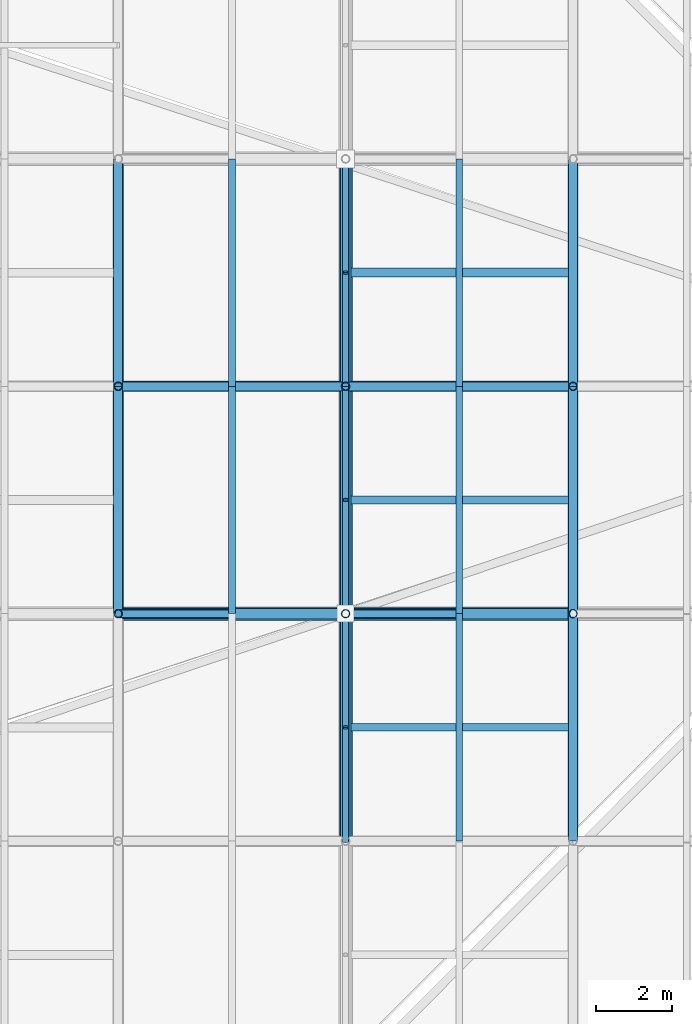
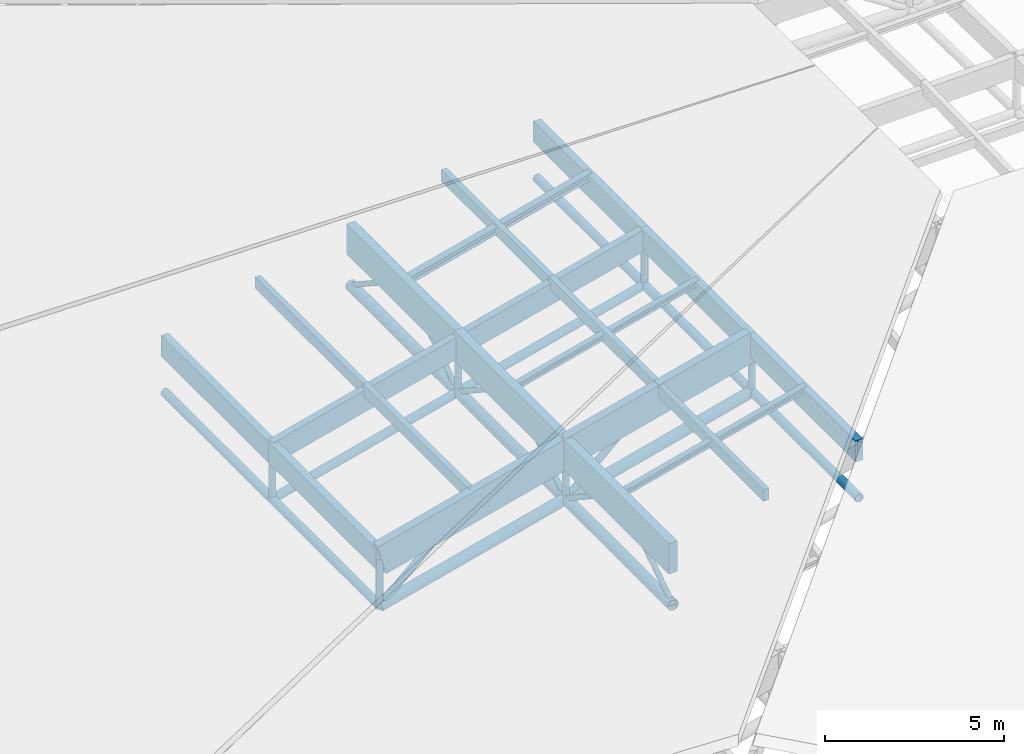
# One storey, part 16 of 80: 46 members.
"""IFC4 building model written with IfcOpenShell, lengths in metres."""

from ifc_helpers import new_model, si_unit, direction, frame, origin, origin_2d, place, context, subcontext, project, spatial, rectangle, hollow_circle, i_section, extrude, material, material_profile, profile_set, type_object, element, save


model = new_model("IFC4")

# Units and contexts
model_context = context("Model", 3, precision=1e-05, world=origin(), true_north=direction((0.0, 1.0)))
body_context = subcontext(model_context, "Body", "Model", "MODEL_VIEW")
ifc_project = project(units=[si_unit("LENGTHUNIT", "METRE"), si_unit("AREAUNIT", "SQUARE_METRE"), si_unit("VOLUMEUNIT", "CUBIC_METRE"), si_unit("PLANEANGLEUNIT", "RADIAN"), si_unit("MASSUNIT", "GRAM", prefix="KILO"), si_unit("THERMODYNAMICTEMPERATUREUNIT", "KELVIN"), si_unit("POWERUNIT", "WATT")], contexts=[model_context])

# Site, building, storey
site_placement = place(None, origin())
site = spatial("IfcSite", under=ifc_project, at=site_placement, CompositionType="ELEMENT")
building_placement = place(site_placement, origin())
building = spatial("IfcBuilding", under=site, at=building_placement, Name="Solmara Park Aquatics Centre", CompositionType="ELEMENT")
storey_placement = place(building_placement, frame((0.0, 0.0, 22.800048828125)))
storey = spatial("IfcBuildingStorey", under=building, at=storey_placement, Name="RF", CompositionType="ELEMENT", Elevation=22.800048828125)

# Members
ifc_material_1 = material(Name="Structural Steel S355", Category="steel")
ifc_material_profile_1 = material_profile(ifc_material_1, hollow_circle(Radius=0.084228515625, WallThickness=0.008056640625, at=origin_2d()), Name="CHS 168.3x8")
ifc_profile_set_1 = profile_set([ifc_material_profile_1], Name="Structural Steel S355")
member_type_1 = type_object("IfcMemberType", Name="STR-BRC-CHS168", PredefinedType="BRACE", material=ifc_profile_set_1)
for number, where, z_axis, x_axis, name in (
    (1, (24.60009765625, 30.60009765625, -8.0380859375), (0.0, 0.834611904619, 0.550838423377), (-1.0, 0.0, 0.0), "Roof Truss Web Diagonal Y 1965"),
    (2, (24.60009765625, 36.60009765625, -8.0380859375), (0.0, -0.834611904619, 0.550838423377), (1.0, 0.0, 0.0), "Roof Truss Web Diagonal Y 1966"),
    (3, (24.60009765625, 36.60009765625, -8.0380859375), (0.0, 0.834611904619, 0.550838423377), (-1.0, 0.0, 0.0), "Roof Truss Web Diagonal Y 1990"),
    (4, (24.60009765625, 42.60009765625, -8.0380859375), (0.0, -0.834611904619, 0.550838423377), (1.0, 0.0, 0.0), "Roof Truss Web Diagonal Y 1991"),
    (5, (24.60009765625, 42.60009765625, -8.0380859375), (0.0, 0.834611904619, 0.550838423377), (-1.0, 0.0, 0.0), "Roof Truss Web Diagonal Y 2019"),
    (6, (24.60009765625, 48.60009765625, -8.0380859375), (0.0, -0.834611904619, 0.550838423377), (1.0, 0.0, 0.0), "Roof Truss Web Diagonal Y 2020"),
):
    element("IfcMember", number, at=place(storey_placement, frame(where, z_axis=z_axis, x_axis=x_axis)), inside=storey, type_object=member_type_1, Name=name, PredefinedType="BRACE", context=body_context, shape_type="SweptSolid", body=[
        extrude(hollow_circle(Radius=0.084228515625, WallThickness=0.008056640625, at=origin_2d()), origin(), (0.0, 0.0, 1.0), 3.594482421875),
    ])
ifc_material_profile_2 = material_profile(ifc_material_1, hollow_circle(Radius=0.109619140625, WallThickness=0.010009765625, at=origin_2d()), Name="CHS 219.1x10")
ifc_profile_set_2 = profile_set([ifc_material_profile_2], Name="Structural Steel S355")
member_type_2 = type_object("IfcMemberType", Name="STR-BRC-CHS219", PredefinedType="BRACE", material=ifc_profile_set_2)
for number, where, z_axis, x_axis, name in (
    (7, (18.60009765625, 36.60009765625, -9.58984375), (0.741347083846, 0.0, 0.671121822974), (0.0, 1.0, 0.0), "Roof Truss Web Diagonal X 1440"),
    (8, (24.60009765625, 36.60009765625, -8.0380859375), (0.741347083846, 0.0, 0.671121822974), (0.0, 1.0, 0.0), "Roof Truss Web Diagonal X 1467"),
):
    element("IfcMember", number, at=place(storey_placement, frame(where, z_axis=z_axis, x_axis=x_axis)), inside=storey, type_object=member_type_2, Name=name, PredefinedType="BRACE", context=body_context, shape_type="SweptSolid", body=[
        extrude(hollow_circle(Radius=0.109619140625, WallThickness=0.010009765625, at=origin_2d()), origin(), (0.0, 0.0, 1.0), 4.046630859375),
    ])
ifc_material_profile_3 = material_profile(ifc_material_1, hollow_circle(Radius=0.136474609375, WallThickness=0.012451171875, at=origin_2d()), Name="CHS 273x12.5")
ifc_profile_set_3 = profile_set([ifc_material_profile_3], Name="Structural Steel S355")
member_type_3 = type_object("IfcMemberType", Name="STR-CHD-CHS273", PredefinedType="CHORD", material=ifc_profile_set_3)
for number, where, z_axis, x_axis, name in (
    (9, (18.60009765625, 42.60009765625, -9.58984375), (0.968145594442, 0.0, 0.250387914969), (0.0, 1.0, 0.0), "Steel Roof Truss Bottom Chord X 0260"),
    (10, (24.60009765625, 42.60009765625, -8.0380859375), (0.968145594442, 0.0, 0.250387914969), (0.0, 1.0, 0.0), "Steel Roof Truss Bottom Chord X 0262"),
):
    element("IfcMember", number, at=place(storey_placement, frame(where, z_axis=z_axis, x_axis=x_axis)), inside=storey, type_object=member_type_3, Name=name, PredefinedType="CHORD", context=body_context, shape_type="SweptSolid", body=[
        extrude(hollow_circle(Radius=0.136474609375, WallThickness=0.012451171875, at=origin_2d()), origin(), (0.0, 0.0, 1.0), 6.197509765625),
    ])
for number, where, z_axis, x_axis, name in (
    (11, (18.60009765625, 36.60009765625, -9.58984375), (0.0, 1.0, 0.0), (-1.0, 0.0, 0.0), "Steel Roof Truss Bottom Chord Y 0638"),
    (12, (18.60009765625, 42.60009765625, -9.58984375), (0.0, 1.0, 0.0), (-1.0, 0.0, 0.0), "Steel Roof Truss Bottom Chord Y 0640"),
    (13, (30.60009765625, 30.60009765625, -6.486328125), (0.0, 1.0, 0.0), (-1.0, 0.0, 0.0), "Steel Roof Truss Bottom Chord Y 0692"),
    (14, (30.60009765625, 36.60009765625, -6.486328125), (0.0, 1.0, 0.0), (-1.0, 0.0, 0.0), "Steel Roof Truss Bottom Chord Y 0694"),
    (15, (30.60009765625, 42.60009765625, -6.486328125), (0.0, 1.0, 0.0), (-1.0, 0.0, 0.0), "Steel Roof Truss Bottom Chord Y 0696"),
):
    element("IfcMember", number, at=place(storey_placement, frame(where, z_axis=z_axis, x_axis=x_axis)), inside=storey, type_object=member_type_3, Name=name, PredefinedType="CHORD", context=body_context, shape_type="SweptSolid", body=[
        extrude(hollow_circle(Radius=0.136474609375, WallThickness=0.012451171875, at=origin_2d()), origin(), (0.0, 0.0, 1.0), 6.0),
    ])
ifc_material_profile_4 = material_profile(ifc_material_1, hollow_circle(Radius=0.177734375, WallThickness=0.01611328125, at=origin_2d()), Name="CHS 355.6x16")
ifc_profile_set_4 = profile_set([ifc_material_profile_4], Name="Structural Steel S355")
member_type_4 = type_object("IfcMemberType", Name="STR-CHD-CHS355", PredefinedType="CHORD", material=ifc_profile_set_4)
for number, where, z_axis, x_axis, name in (
    (16, (18.60009765625, 36.60009765625, -9.58984375), (0.968145594442, 0.0, 0.250387914969), (0.0, 1.0, 0.0), "Steel Roof Truss Bottom Chord X 0224"),
    (17, (24.60009765625, 36.60009765625, -8.0380859375), (0.968145594442, 0.0, 0.250387914969), (0.0, 1.0, 0.0), "Steel Roof Truss Bottom Chord X 0226"),
):
    element("IfcMember", number, at=place(storey_placement, frame(where, z_axis=z_axis, x_axis=x_axis)), inside=storey, type_object=member_type_4, Name=name, PredefinedType="CHORD", context=body_context, shape_type="SweptSolid", body=[
        extrude(hollow_circle(Radius=0.177734375, WallThickness=0.01611328125, at=origin_2d()), origin(), (0.0, 0.0, 1.0), 6.197509765625),
    ])
for number, where, z_axis, x_axis, name in (
    (18, (24.60009765625, 30.60009765625, -8.0380859375), (0.0, 1.0, 0.0), (-1.0, 0.0, 0.0), "Steel Roof Truss Bottom Chord Y 0664"),
    (19, (24.60009765625, 36.60009765625, -8.0380859375), (0.0, 1.0, 0.0), (-1.0, 0.0, 0.0), "Steel Roof Truss Bottom Chord Y 0666"),
    (20, (24.60009765625, 42.60009765625, -8.0380859375), (0.0, 1.0, 0.0), (-1.0, 0.0, 0.0), "Steel Roof Truss Bottom Chord Y 0668"),
):
    element("IfcMember", number, at=place(storey_placement, frame(where, z_axis=z_axis, x_axis=x_axis)), inside=storey, type_object=member_type_4, Name=name, PredefinedType="CHORD", context=body_context, shape_type="SweptSolid", body=[
        extrude(hollow_circle(Radius=0.177734375, WallThickness=0.01611328125, at=origin_2d()), origin(), (0.0, 0.0, 1.0), 6.0),
    ])
ifc_material_2 = material(Name="Glulam Timber GL28h", Category="wood")
ifc_material_profile_5 = material_profile(ifc_material_2, rectangle(XDim=0.239990234375, YDim=0.719970703125, at=origin_2d()), Name="GL28h 240x720")
ifc_profile_set_5 = profile_set([ifc_material_profile_5], Name="Glulam Timber GL28h")
member_type_5 = type_object("IfcMemberType", Name="STR-CHD-GL240x720", PredefinedType="CHORD", material=ifc_profile_set_5)
member_1_placement = place(storey_placement, frame((18.60009765625, 42.60009765625, -7.9697265625), z_axis=(0.968145594442, 0.0, 0.250387914969), x_axis=(0.0, 1.0, 0.0)))
element("IfcMember", 21, at=member_1_placement, inside=storey, type_object=member_type_5, Name="Glulam Roof Truss Top Chord X 0259", PredefinedType="CHORD", context=body_context, shape_type="SweptSolid", body=[
    extrude(rectangle(XDim=0.239990234375, YDim=0.719970703125, at=origin_2d()), origin(), (0.0, 0.0, 1.0), 6.197509765625),
])
member_2_placement = place(storey_placement, frame((24.60009765625, 42.60009765625, -6.41796875), z_axis=(0.968155143395, 0.0, 0.250350990246), x_axis=(0.0, 1.0, 0.0)))
element("IfcMember", 22, at=member_2_placement, inside=storey, type_object=member_type_5, Name="Glulam Roof Truss Top Chord X 0261", PredefinedType="CHORD", context=body_context, shape_type="SweptSolid", body=[
    extrude(rectangle(XDim=0.239990234375, YDim=0.719970703125, at=origin_2d()), origin(), (0.0, 0.0, 1.0), 6.197265625),
])
for number, where, z_axis, x_axis, name in (
    (23, (18.60009765625, 36.60009765625, -7.9697265625), (0.0, 1.0, 0.0), (-1.0, 0.0, 0.0), "Glulam Roof Truss Top Chord Y 0637"),
    (24, (18.60009765625, 42.60009765625, -7.9697265625), (0.0, 1.0, 0.0), (-1.0, 0.0, 0.0), "Glulam Roof Truss Top Chord Y 0639"),
    (25, (30.60009765625, 30.60009765625, -4.866455078125), (0.0, 1.0, 0.0), (-1.0, 0.0, 0.0), "Glulam Roof Truss Top Chord Y 0691"),
    (26, (30.60009765625, 36.60009765625, -4.866455078125), (0.0, 1.0, 0.0), (-1.0, 0.0, 0.0), "Glulam Roof Truss Top Chord Y 0693"),
    (27, (30.60009765625, 42.60009765625, -4.866455078125), (0.0, 1.0, 0.0), (-1.0, 0.0, 0.0), "Glulam Roof Truss Top Chord Y 0695"),
):
    element("IfcMember", number, at=place(storey_placement, frame(where, z_axis=z_axis, x_axis=x_axis)), inside=storey, type_object=member_type_5, Name=name, PredefinedType="CHORD", context=body_context, shape_type="SweptSolid", body=[
        extrude(rectangle(XDim=0.239990234375, YDim=0.719970703125, at=origin_2d()), origin(), (0.0, 0.0, 1.0), 6.0),
    ])
ifc_material_profile_6 = material_profile(ifc_material_2, rectangle(XDim=0.280029296875, YDim=1.0400390625, at=origin_2d()), Name="GL28h 280x1040")
ifc_profile_set_6 = profile_set([ifc_material_profile_6], Name="Glulam Timber GL28h")
member_type_6 = type_object("IfcMemberType", Name="STR-CHD-GL280x1040", PredefinedType="CHORD", material=ifc_profile_set_6)
member_3_placement = place(storey_placement, frame((18.60009765625, 36.60009765625, -7.9697265625), z_axis=(0.968145594442, 0.0, 0.250387914969), x_axis=(0.0, 1.0, 0.0)))
element("IfcMember", 28, at=member_3_placement, inside=storey, type_object=member_type_6, Name="Glulam Roof Truss Top Chord X 0223", PredefinedType="CHORD", context=body_context, shape_type="SweptSolid", body=[
    extrude(rectangle(XDim=0.280029296875, YDim=1.0400390625, at=origin_2d()), origin(), (0.0, 0.0, 1.0), 6.197509765625),
])
member_4_placement = place(storey_placement, frame((24.60009765625, 36.60009765625, -6.41796875), z_axis=(0.968155143395, 0.0, 0.250350990246), x_axis=(0.0, 1.0, 0.0)))
element("IfcMember", 29, at=member_4_placement, inside=storey, type_object=member_type_6, Name="Glulam Roof Truss Top Chord X 0225", PredefinedType="CHORD", context=body_context, shape_type="SweptSolid", body=[
    extrude(rectangle(XDim=0.280029296875, YDim=1.0400390625, at=origin_2d()), origin(), (0.0, 0.0, 1.0), 6.197265625),
])
for number, where, z_axis, x_axis, name in (
    (30, (24.60009765625, 30.60009765625, -6.41796875), (0.0, 1.0, 0.0), (-1.0, 0.0, 0.0), "Glulam Roof Truss Top Chord Y 0663"),
    (31, (24.60009765625, 36.60009765625, -6.41796875), (0.0, 1.0, 0.0), (-1.0, 0.0, 0.0), "Glulam Roof Truss Top Chord Y 0665"),
    (32, (24.60009765625, 42.60009765625, -6.41796875), (0.0, 1.0, 0.0), (-1.0, 0.0, 0.0), "Glulam Roof Truss Top Chord Y 0667"),
):
    element("IfcMember", number, at=place(storey_placement, frame(where, z_axis=z_axis, x_axis=x_axis)), inside=storey, type_object=member_type_6, Name=name, PredefinedType="CHORD", context=body_context, shape_type="SweptSolid", body=[
        extrude(rectangle(XDim=0.280029296875, YDim=1.0400390625, at=origin_2d()), origin(), (0.0, 0.0, 1.0), 6.0),
    ])
ifc_material_profile_7 = material_profile(ifc_material_2, rectangle(XDim=0.179931640625, YDim=0.39990234375, at=origin_2d()), Name="GL28h 180x400")
ifc_profile_set_7 = profile_set([ifc_material_profile_7], Name="Glulam Timber GL28h")
member_type_7 = type_object("IfcMemberType", Name="STR-PRL-GL180x400", PredefinedType="PURLIN", material=ifc_profile_set_7)
for number, where, z_axis, x_axis, name in (
    (33, (21.60009765625, 36.60009765625, -6.8740234375), (0.0, 1.0, 0.0), (-1.0, 0.0, 0.0), "Glulam Roof Purlin 1427"),
    (34, (21.60009765625, 42.60009765625, -6.8740234375), (0.0, 1.0, 0.0), (-1.0, 0.0, 0.0), "Glulam Roof Purlin 1428"),
    (35, (27.60009765625, 30.60009765625, -5.322265625), (0.0, 1.0, 0.0), (-1.0, 0.0, 0.0), "Glulam Roof Purlin 1452"),
    (36, (27.60009765625, 36.60009765625, -5.322265625), (0.0, 1.0, 0.0), (-1.0, 0.0, 0.0), "Glulam Roof Purlin 1453"),
    (37, (27.60009765625, 42.60009765625, -5.322265625), (0.0, 1.0, 0.0), (-1.0, 0.0, 0.0), "Glulam Roof Purlin 1454"),
):
    element("IfcMember", number, at=place(storey_placement, frame(where, z_axis=z_axis, x_axis=x_axis)), inside=storey, type_object=member_type_7, Name=name, PredefinedType="PURLIN", context=body_context, shape_type="SweptSolid", body=[
        extrude(rectangle(XDim=0.179931640625, YDim=0.39990234375, at=origin_2d()), origin(), (0.0, 0.0, 1.0), 6.0),
    ])
ifc_material_profile_8 = material_profile(ifc_material_1, i_section(OverallWidth=0.199951171875, OverallDepth=0.18994140625, WebThickness=0.006591796875, FlangeThickness=0.010009765625, FilletRadius=0.01806640625, at=origin_2d()), Name="HEA 200")
ifc_profile_set_8 = profile_set([ifc_material_profile_8], Name="Structural Steel S355")
member_type_8 = type_object("IfcMemberType", Name="STR-PRL-HEA200", PredefinedType="PURLIN", material=ifc_profile_set_8)
for number, where, z_axis, x_axis, name in (
    (38, (24.60009765625, 33.60009765625, -6.078125), (0.968145594442, 0.0, 0.250387914969), (0.0, 1.0, 0.0), "Glulam Secondary Roof Purlin 1954"),
    (39, (24.60009765625, 39.60009765625, -6.078125), (0.968145594442, 0.0, 0.250387914969), (0.0, 1.0, 0.0), "Glulam Secondary Roof Purlin 1979"),
):
    element("IfcMember", number, at=place(storey_placement, frame(where, z_axis=z_axis, x_axis=x_axis)), inside=storey, type_object=member_type_8, Name=name, PredefinedType="PURLIN", context=body_context, shape_type="SweptSolid", body=[
        extrude(i_section(OverallWidth=0.199951171875, OverallDepth=0.18994140625, WebThickness=0.006591796875, FlangeThickness=0.010009765625, FilletRadius=0.01806640625, at=origin_2d()), origin(), (0.0, 0.0, 1.0), 6.197509765625),
    ])
ifc_material_profile_9 = material_profile(ifc_material_1, i_section(OverallWidth=0.239990234375, OverallDepth=0.22998046875, WebThickness=0.007568359375, FlangeThickness=0.011962890625, FilletRadius=0.02099609375, at=origin_2d()), Name="HEA 240")
ifc_profile_set_9 = profile_set([ifc_material_profile_9], Name="Structural Steel S355")
member_type_9 = type_object("IfcMemberType", Name="STR-PRL-HEA240", PredefinedType="PURLIN", material=ifc_profile_set_9)
member_5_placement = place(storey_placement, frame((24.60009765625, 45.60009765625, -6.078125), z_axis=(0.968145594442, 0.0, 0.250387914969), x_axis=(0.0, 1.0, 0.0)))
element("IfcMember", 40, at=member_5_placement, inside=storey, type_object=member_type_9, Name="Glulam Secondary Roof Purlin 2008", PredefinedType="PURLIN", context=body_context, shape_type="SweptSolid", body=[
    extrude(i_section(OverallWidth=0.239990234375, OverallDepth=0.22998046875, WebThickness=0.007568359375, FlangeThickness=0.011962890625, FilletRadius=0.02099609375, at=origin_2d()), origin(), (0.0, 0.0, 1.0), 6.197509765625),
])
ifc_material_profile_10 = material_profile(ifc_material_1, hollow_circle(Radius=0.109619140625, WallThickness=0.010009765625, at=origin_2d()), Name="CHS 219.1x10")
ifc_profile_set_10 = profile_set([ifc_material_profile_10], Name="Structural Steel S355")
member_type_10 = type_object("IfcMemberType", Name="STR-PST-CHS219", PredefinedType="POST", material=ifc_profile_set_10)
for number, where, z_axis, x_axis, name in (
    (41, (18.60009765625, 36.60009765625, -9.58984375), (0.0, 0.0, 1.0), (1.0, 0.0, 0.0), "Roof Truss Web Post 1120"),
    (42, (18.60009765625, 42.60009765625, -9.58984375), (0.0, 0.0, 1.0), (1.0, 0.0, 0.0), "Roof Truss Web Post 1121"),
    (43, (24.60009765625, 36.60009765625, -8.0380859375), (0.0, 0.0, 1.0), (1.0, 0.0, 0.0), "Roof Truss Web Post 1134"),
    (44, (24.60009765625, 42.60009765625, -8.0380859375), (0.0, 0.0, 1.0), (1.0, 0.0, 0.0), "Roof Truss Web Post 1135"),
):
    element("IfcMember", number, at=place(storey_placement, frame(where, z_axis=z_axis, x_axis=x_axis)), inside=storey, type_object=member_type_10, Name=name, PredefinedType="POST", context=body_context, shape_type="SweptSolid", body=[
        extrude(hollow_circle(Radius=0.109619140625, WallThickness=0.010009765625, at=origin_2d()), origin(), (0.0, 0.0, 1.0), 1.6201171875),
    ])
for number, where, z_axis, x_axis, name in (
    (45, (30.60009765625, 36.60009765625, -6.486328125), (0.0, 0.0, 1.0), (1.0, 0.0, 0.0), "Roof Truss Web Post 1148"),
    (46, (30.60009765625, 42.60009765625, -6.486328125), (0.0, 0.0, 1.0), (1.0, 0.0, 0.0), "Roof Truss Web Post 1149"),
):
    element("IfcMember", number, at=place(storey_placement, frame(where, z_axis=z_axis, x_axis=x_axis)), inside=storey, type_object=member_type_10, Name=name, PredefinedType="POST", context=body_context, shape_type="SweptSolid", body=[
        extrude(hollow_circle(Radius=0.109619140625, WallThickness=0.010009765625, at=origin_2d()), origin(), (0.0, 0.0, 1.0), 1.619873046875),
    ])

save(model, "model.ifc")
